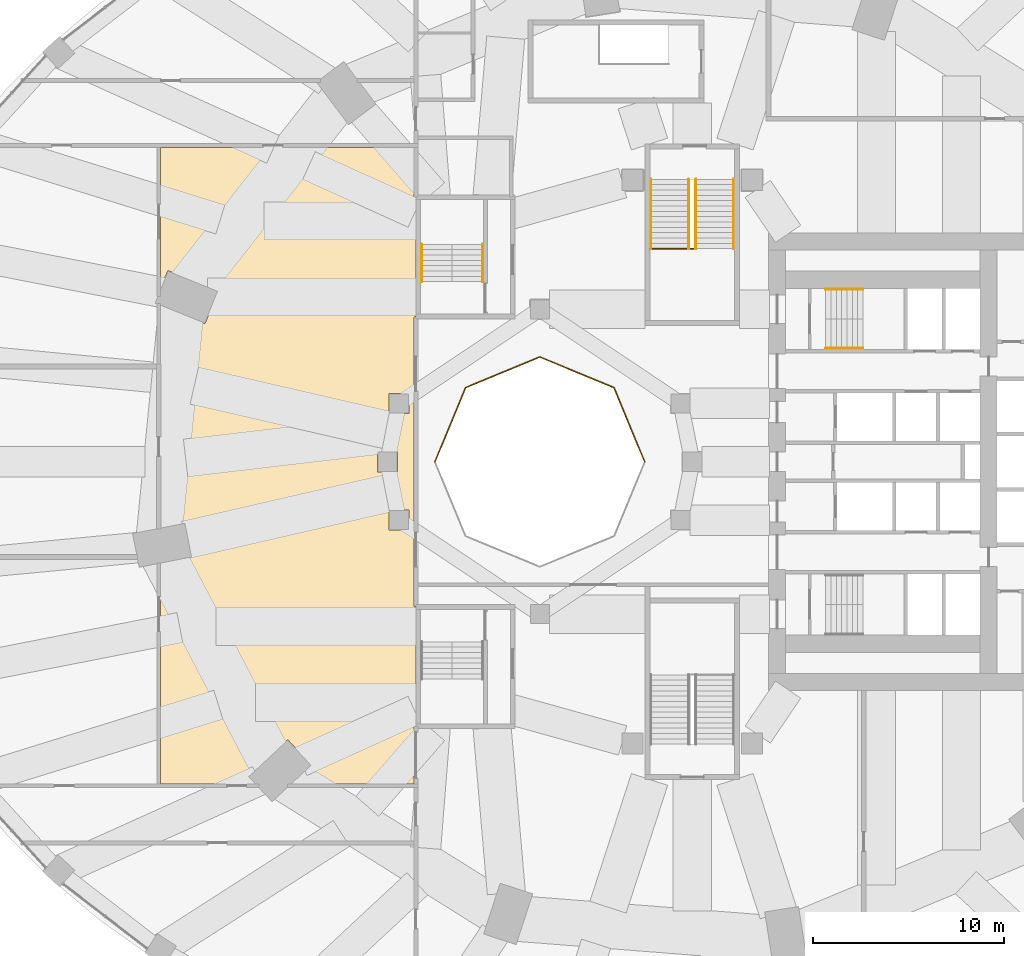
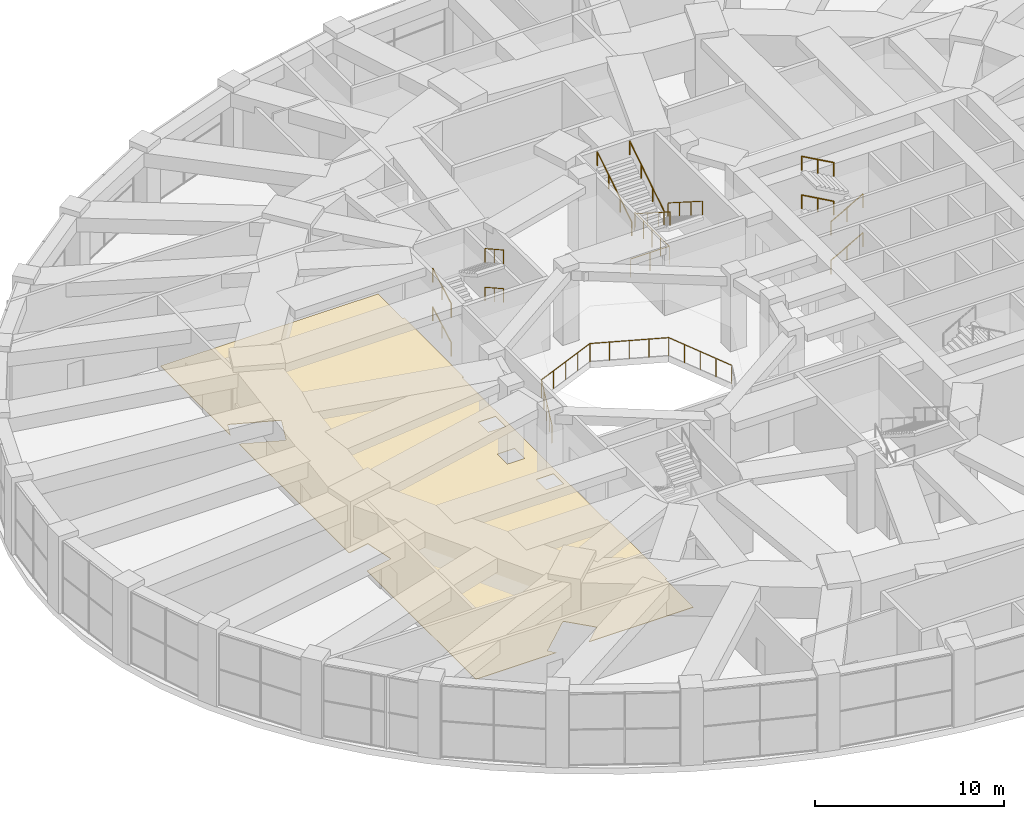
# One storey, part 28 of 30: 14 railings, 1 covering.
"""IFC4 building model written with IfcOpenShell, lengths in metres."""

from ifc_helpers import new_model, si_unit, direction, frame, origin, origin_2d, place, context, subcontext, project, spatial, polyline, circle, outline, extrude, material, layer, layer_set, type_object, element, save


model = new_model("IFC4")

# Units and contexts
model_context = context("Model", 3, precision=1e-05, world=origin(), true_north=direction((0.0, 1.0)))
body_context = subcontext(model_context, "Body", "Model", "MODEL_VIEW")
ifc_project = project(units=[si_unit("LENGTHUNIT", "METRE"), si_unit("AREAUNIT", "SQUARE_METRE"), si_unit("VOLUMEUNIT", "CUBIC_METRE"), si_unit("PLANEANGLEUNIT", "RADIAN"), si_unit("MASSUNIT", "GRAM", prefix="KILO")], contexts=[model_context])

# Site, building, storey
site_placement = place(None, origin())
site = spatial("IfcSite", under=ifc_project, at=site_placement, CompositionType="ELEMENT")
building_placement = place(site_placement, origin())
building = spatial("IfcBuilding", under=site, at=building_placement, Name="Taillehof Tower", CompositionType="ELEMENT")
storey_placement = place(building_placement, frame((0.0, 0.0, 12.5)))
storey = spatial("IfcBuildingStorey", under=building, at=storey_placement, Name="L02", CompositionType="ELEMENT", Elevation=12.5)

# Covering
ifc_material_1 = material(Name="Terrazzo floor finish")
ifc_layer = layer(ifc_material_1, 0.030029296875)
ifc_layer_set = layer_set([ifc_layer], Name="Floor finish 30 mm")
covering_type = type_object("IfcCoveringType", Name="Floor finish 30 mm", PredefinedType="FLOORING", material=ifc_layer_set)
covering_placement = place(storey_placement, origin())
element("IfcCovering", 1, at=covering_placement, inside=storey, type_object=covering_type, Name="Floor finish L02-21", PredefinedType="FLOORING", context=body_context, shape_type="SweptSolid", body=[
    extrude(outline(polyline([(-27.89990234375, -16.89990234375), (-27.89990234375, -5.347900390625), (-26.267578125, -5.02685546875), (-26.264892578125, -5.0263671875), (-26.261962890625, -5.025390625), (-26.25927734375, -5.02392578125), (-26.2568359375, -5.0224609375), (-26.25439453125, -5.020751953125), (-26.252197265625, -5.018798828125), (-26.250244140625, -5.0166015625), (-26.24853515625, -5.01416015625), (-26.2470703125, -5.01171875), (-26.245849609375, -5.009033203125), (-26.244873046875, -5.00634765625), (-26.244140625, -5.00341796875), (-26.24365234375, -5.00048828125), (-26.243408203125, -4.99755859375), (-26.24365234375, -4.99462890625), (-26.244140625, -4.99169921875), (-26.59130859375, -3.2255859375), (-26.592041015625, -3.22265625), (-26.593017578125, -3.219970703125), (-26.59423828125, -3.21728515625), (-26.595947265625, -3.21484375), (-26.59765625, -3.21240234375), (-26.599609375, -3.210205078125), (-26.601806640625, -3.208251953125), (-26.60400390625, -3.20654296875), (-26.606689453125, -3.204833984375), (-26.609375, -3.20361328125), (-26.612060546875, -3.20263671875), (-26.614990234375, -3.201904296875), (-26.617919921875, -3.201416015625), (-26.620849609375, -3.201416015625), (-26.623779296875, -3.201416015625), (-26.626708984375, -3.201904296875), (-27.875, -3.447509765625), (-27.875, 5.125), (-27.89990234375, 5.125), (-27.89990234375, 8.181884765625), (-25.598876953125, 7.247802734375), (-25.59619140625, 7.246826171875), (-25.59326171875, 7.24609375), (-25.59033203125, 7.24560546875), (-25.58740234375, 7.24560546875), (-25.58447265625, 7.24560546875), (-25.58154296875, 7.24609375), (-25.578857421875, 7.246826171875), (-25.575927734375, 7.247802734375), (-25.5732421875, 7.2490234375), (-25.57080078125, 7.250732421875), (-25.568359375, 7.25244140625), (-25.56640625, 7.25439453125), (-25.564453125, 7.256591796875), (-25.5625, 7.259033203125), (-25.56103515625, 7.261474609375), (-25.559814453125, 7.26416015625), (-24.8828125, 8.93212890625), (-24.8818359375, 8.934814453125), (-24.881103515625, 8.937744140625), (-24.880615234375, 8.940673828125), (-24.880615234375, 8.943603515625), (-24.880859375, 8.946533203125), (-24.881103515625, 8.949462890625), (-24.8818359375, 8.9521484375), (-24.883056640625, 8.955078125), (-24.88427734375, 8.95751953125), (-24.8857421875, 8.960205078125), (-24.887451171875, 8.96240234375), (-24.8896484375, 8.964599609375), (-24.891845703125, 8.966552734375), (-24.89404296875, 8.96826171875), (-24.896728515625, 8.969970703125), (-24.8994140625, 8.97119140625), (-27.49365234375, 10.0244140625), (-27.496337890625, 10.025390625), (-27.499267578125, 10.02587890625), (-27.502197265625, 10.0263671875), (-27.505126953125, 10.026611328125), (-27.508056640625, 10.0263671875), (-27.510986328125, 10.02587890625), (-27.513916015625, 10.025146484375), (-27.5166015625, 10.024169921875), (-27.519287109375, 10.02294921875), (-27.521728515625, 10.021240234375), (-27.524169921875, 10.01953125), (-27.5263671875, 10.017578125), (-27.5283203125, 10.015380859375), (-27.530029296875, 10.012939453125), (-27.531494140625, 10.010498046875), (-27.53271484375, 10.0078125), (-27.89990234375, 9.103271484375), (-27.89990234375, 16.5), (-14.60009765625, 16.5), (-14.60009765625, 13.89990234375), (-14.5, 13.89990234375), (-14.5, 7.60009765625), (-14.60009765625, 7.60009765625), (-14.60009765625, -6.35009765625), (-14.60009765625, -7.60009765625), (-14.5, -7.60009765625), (-14.5, -13.89990234375), (-14.60009765625, -13.89990234375), (-14.60009765625, -16.89990234375), (-20.9951171875, -16.89990234375), (-19.983154296875, -15.95263671875), (-19.98095703125, -15.95068359375), (-19.979248046875, -15.9482421875), (-19.9775390625, -15.94580078125), (-19.976318359375, -15.943115234375), (-19.97509765625, -15.9404296875), (-19.974365234375, -15.937744140625), (-19.973876953125, -15.934814453125), (-19.9736328125, -15.931884765625), (-19.9736328125, -15.928955078125), (-19.97412109375, -15.926025390625), (-19.974609375, -15.923095703125), (-19.9755859375, -15.920166015625), (-19.976806640625, -15.91748046875), (-19.97802734375, -15.9150390625), (-19.979736328125, -15.91259765625), (-19.981689453125, -15.910400390625), (-21.211669921875, -14.59619140625), (-21.2138671875, -14.593994140625), (-21.216064453125, -14.59228515625), (-21.218505859375, -14.590576171875), (-21.22119140625, -14.58935546875), (-21.223876953125, -14.588134765625), (-21.226806640625, -14.58740234375), (-21.229736328125, -14.5869140625), (-21.232666015625, -14.586669921875), (-21.235595703125, -14.586669921875), (-21.238525390625, -14.5869140625), (-21.241455078125, -14.587646484375), (-21.244140625, -14.588623046875), (-21.246826171875, -14.589599609375), (-21.24951171875, -14.591064453125), (-21.251953125, -14.5927734375), (-21.254150390625, -14.5947265625), (-23.29833984375, -16.508056640625), (-23.300537109375, -16.51025390625), (-23.30224609375, -16.512451171875), (-23.303955078125, -16.514892578125), (-23.30517578125, -16.517578125), (-23.306396484375, -16.520263671875), (-23.30712890625, -16.523193359375), (-23.3076171875, -16.526123046875), (-23.307861328125, -16.529052734375), (-23.307861328125, -16.531982421875), (-23.3076171875, -16.534912109375), (-23.306884765625, -16.53759765625), (-23.305908203125, -16.54052734375), (-23.304931640625, -16.543212890625), (-23.303466796875, -16.545654296875), (-23.3017578125, -16.548095703125), (-23.2998046875, -16.550537109375), (-22.97265625, -16.89990234375), (-27.89990234375, -16.89990234375)]), holes=[polyline([(-15.902587890625, -3.589111328125), (-15.899658203125, -3.590087890625), (-15.89697265625, -3.5908203125), (-15.89404296875, -3.59130859375), (-15.89111328125, -3.591552734375), (-14.89111328125, -3.591552734375), (-14.88818359375, -3.59130859375), (-14.88525390625, -3.5908203125), (-14.88232421875, -3.590087890625), (-14.879638671875, -3.589111328125), (-14.876953125, -3.587890625), (-14.874267578125, -3.58642578125), (-14.8720703125, -3.584716796875), (-14.869873046875, -3.582763671875), (-14.867919921875, -3.58056640625), (-14.8662109375, -3.578125), (-14.864501953125, -3.57568359375), (-14.86328125, -3.572998046875), (-14.8623046875, -3.570068359375), (-14.861572265625, -3.5673828125), (-14.861083984375, -3.564453125), (-14.861083984375, -3.5615234375), (-14.861083984375, -2.5615234375), (-14.861083984375, -2.55859375), (-14.861572265625, -2.5556640625), (-14.8623046875, -2.552734375), (-14.86328125, -2.550048828125), (-14.864501953125, -2.54736328125), (-14.8662109375, -2.544921875), (-14.867919921875, -2.54248046875), (-14.869873046875, -2.540283203125), (-14.8720703125, -2.538330078125), (-14.874267578125, -2.53662109375), (-14.876953125, -2.534912109375), (-14.879638671875, -2.53369140625), (-14.88232421875, -2.53271484375), (-14.88525390625, -2.531982421875), (-14.88818359375, -2.531494140625), (-14.89111328125, -2.531494140625), (-15.89111328125, -2.531494140625), (-15.89404296875, -2.531494140625), (-15.89697265625, -2.531982421875), (-15.899658203125, -2.53271484375), (-15.902587890625, -2.53369140625), (-15.9052734375, -2.534912109375), (-15.90771484375, -2.53662109375), (-15.91015625, -2.538330078125), (-15.912353515625, -2.540283203125), (-15.914306640625, -2.54248046875), (-15.916015625, -2.544921875), (-15.91748046875, -2.54736328125), (-15.918701171875, -2.550048828125), (-15.919677734375, -2.552734375), (-15.92041015625, -2.5556640625), (-15.9208984375, -2.55859375), (-15.921142578125, -2.5615234375), (-15.921142578125, -3.5615234375), (-15.9208984375, -3.564453125), (-15.92041015625, -3.5673828125), (-15.919677734375, -3.570068359375), (-15.918701171875, -3.572998046875), (-15.91748046875, -3.57568359375), (-15.916015625, -3.578125), (-15.914306640625, -3.58056640625), (-15.912353515625, -3.582763671875), (-15.91015625, -3.584716796875), (-15.90771484375, -3.58642578125), (-15.9052734375, -3.587890625), (-15.902587890625, -3.589111328125)]), polyline([(-16.511474609375, -0.52783203125), (-16.5087890625, -0.52880859375), (-16.505859375, -0.529541015625), (-16.5029296875, -0.52978515625), (-16.5, -0.530029296875), (-15.5, -0.530029296875), (-15.4970703125, -0.52978515625), (-15.494140625, -0.529541015625), (-15.4912109375, -0.52880859375), (-15.488525390625, -0.52783203125), (-15.48583984375, -0.5263671875), (-15.4833984375, -0.52490234375), (-15.48095703125, -0.523193359375), (-15.478759765625, -0.521240234375), (-15.476806640625, -0.51904296875), (-15.47509765625, -0.5166015625), (-15.4736328125, -0.51416015625), (-15.47216796875, -0.511474609375), (-15.47119140625, -0.5087890625), (-15.470458984375, -0.505859375), (-15.47021484375, -0.5029296875), (-15.469970703125, -0.5), (-15.469970703125, 0.5), (-15.47021484375, 0.5029296875), (-15.470458984375, 0.505859375), (-15.47119140625, 0.5087890625), (-15.47216796875, 0.511474609375), (-15.4736328125, 0.51416015625), (-15.47509765625, 0.5166015625), (-15.476806640625, 0.51904296875), (-15.478759765625, 0.521240234375), (-15.48095703125, 0.523193359375), (-15.4833984375, 0.52490234375), (-15.48583984375, 0.5263671875), (-15.488525390625, 0.52783203125), (-15.4912109375, 0.52880859375), (-15.494140625, 0.529541015625), (-15.4970703125, 0.52978515625), (-15.5, 0.530029296875), (-16.5, 0.530029296875), (-16.5029296875, 0.52978515625), (-16.505859375, 0.529541015625), (-16.5087890625, 0.52880859375), (-16.511474609375, 0.52783203125), (-16.51416015625, 0.5263671875), (-16.5166015625, 0.52490234375), (-16.51904296875, 0.523193359375), (-16.521240234375, 0.521240234375), (-16.523193359375, 0.51904296875), (-16.52490234375, 0.5166015625), (-16.5263671875, 0.51416015625), (-16.52783203125, 0.511474609375), (-16.52880859375, 0.5087890625), (-16.529541015625, 0.505859375), (-16.52978515625, 0.5029296875), (-16.530029296875, 0.5), (-16.530029296875, -0.5), (-16.52978515625, -0.5029296875), (-16.529541015625, -0.505859375), (-16.52880859375, -0.5087890625), (-16.52783203125, -0.511474609375), (-16.5263671875, -0.51416015625), (-16.52490234375, -0.5166015625), (-16.523193359375, -0.51904296875), (-16.521240234375, -0.521240234375), (-16.51904296875, -0.523193359375), (-16.5166015625, -0.52490234375), (-16.51416015625, -0.5263671875), (-16.511474609375, -0.52783203125)]), polyline([(-15.902587890625, 2.53369140625), (-15.899658203125, 2.53271484375), (-15.89697265625, 2.531982421875), (-15.89404296875, 2.531494140625), (-15.89111328125, 2.531494140625), (-14.89111328125, 2.531494140625), (-14.88818359375, 2.531494140625), (-14.88525390625, 2.531982421875), (-14.88232421875, 2.53271484375), (-14.879638671875, 2.53369140625), (-14.876953125, 2.534912109375), (-14.874267578125, 2.53662109375), (-14.8720703125, 2.538330078125), (-14.869873046875, 2.540283203125), (-14.867919921875, 2.54248046875), (-14.8662109375, 2.544921875), (-14.864501953125, 2.54736328125), (-14.86328125, 2.550048828125), (-14.8623046875, 2.552734375), (-14.861572265625, 2.5556640625), (-14.861083984375, 2.55859375), (-14.861083984375, 2.5615234375), (-14.861083984375, 3.5615234375), (-14.861083984375, 3.564453125), (-14.861572265625, 3.5673828125), (-14.8623046875, 3.570068359375), (-14.86328125, 3.572998046875), (-14.864501953125, 3.57568359375), (-14.8662109375, 3.578125), (-14.867919921875, 3.58056640625), (-14.869873046875, 3.582763671875), (-14.8720703125, 3.584716796875), (-14.874267578125, 3.58642578125), (-14.876953125, 3.587890625), (-14.879638671875, 3.589111328125), (-14.88232421875, 3.590087890625), (-14.88525390625, 3.5908203125), (-14.88818359375, 3.59130859375), (-14.89111328125, 3.591552734375), (-15.89111328125, 3.591552734375), (-15.89404296875, 3.59130859375), (-15.89697265625, 3.5908203125), (-15.899658203125, 3.590087890625), (-15.902587890625, 3.589111328125), (-15.9052734375, 3.587890625), (-15.90771484375, 3.58642578125), (-15.91015625, 3.584716796875), (-15.912353515625, 3.582763671875), (-15.914306640625, 3.58056640625), (-15.916015625, 3.578125), (-15.91748046875, 3.57568359375), (-15.918701171875, 3.572998046875), (-15.919677734375, 3.570068359375), (-15.92041015625, 3.5673828125), (-15.9208984375, 3.564453125), (-15.921142578125, 3.5615234375), (-15.921142578125, 2.5615234375), (-15.9208984375, 2.55859375), (-15.92041015625, 2.5556640625), (-15.919677734375, 2.552734375), (-15.918701171875, 2.550048828125), (-15.91748046875, 2.54736328125), (-15.916015625, 2.544921875), (-15.914306640625, 2.54248046875), (-15.912353515625, 2.540283203125), (-15.91015625, 2.538330078125), (-15.90771484375, 2.53662109375), (-15.9052734375, 2.534912109375), (-15.902587890625, 2.53369140625)])]), origin(), (0.0, 0.0, 1.0), 0.030029296875),
])

# Railings
ifc_material_2 = material(Name="Stainless steel and laminated glass", Category="steel")
railing_type_1 = type_object("IfcRailingType", Name="Guard 1200 mm", PredefinedType="GUARDRAIL", material=ifc_material_2)
railing_1_placement = place(storey_placement, frame((-2.5, 0.0, 0.0)))
element("IfcRailing", 2, at=railing_1_placement, inside=storey, type_object=railing_type_1, Name="Guard atrium", PredefinedType="GUARDRAIL", context=body_context, shape_type="SweptSolid", body=[
    extrude(circle(Radius=0.02392578125, at=origin_2d()), frame((0.0, 0.0, 1.17578125), z_axis=(-0.38266253946, 0.923888186359, 0.0), x_axis=(-0.923888186359, -0.38266253946, 0.0)), (0.0, 0.0, 1.0), 4.20947265625),
    extrude(circle(Radius=0.02392578125, at=origin_2d()), frame((-1.61083984375, 3.88916015625, 1.17578125), z_axis=(-0.923888186359, 0.38266253946, 0.0), x_axis=(-0.38266253946, -0.923888186359, 0.0)), (0.0, 0.0, 1.0), 4.20947265625),
    extrude(circle(Radius=0.02392578125, at=origin_2d()), frame((-5.5, 5.5, 1.17578125), z_axis=(-0.923888186359, -0.38266253946, 0.0), x_axis=(0.38266253946, -0.923888186359, 0.0)), (0.0, 0.0, 1.0), 4.20947265625),
    extrude(circle(Radius=0.02392578125, at=origin_2d()), frame((-9.38916015625, 3.88916015625, 1.17578125), z_axis=(-0.38266253946, -0.923888186359, 0.0), x_axis=(0.923888186359, -0.38266253946, 0.0)), (0.0, 0.0, 1.0), 4.20947265625),
    extrude(circle(Radius=0.02099609375, at=origin_2d()), origin(), (0.0, 0.0, 1.0), 1.15185546875),
    extrude(circle(Radius=0.02099609375, at=origin_2d()), frame((-0.40283203125, 0.97216796875, 0.0)), (0.0, 0.0, 1.0), 1.15185546875),
    extrude(circle(Radius=0.02099609375, at=origin_2d()), frame((-0.805419921875, 1.944580078125, 0.0)), (0.0, 0.0, 1.0), 1.15185546875),
    extrude(circle(Radius=0.02099609375, at=origin_2d()), frame((-1.2080078125, 2.9169921875, 0.0)), (0.0, 0.0, 1.0), 1.15185546875),
    extrude(circle(Radius=0.02099609375, at=origin_2d()), frame((-1.61083984375, 3.88916015625, 0.0)), (0.0, 0.0, 1.0), 1.15185546875),
    extrude(circle(Radius=0.02099609375, at=origin_2d()), frame((-2.5830078125, 4.2919921875, 0.0)), (0.0, 0.0, 1.0), 1.15185546875),
    extrude(circle(Radius=0.02099609375, at=origin_2d()), frame((-3.555419921875, 4.694580078125, 0.0)), (0.0, 0.0, 1.0), 1.15185546875),
    extrude(circle(Radius=0.02099609375, at=origin_2d()), frame((-4.52783203125, 5.09716796875, 0.0)), (0.0, 0.0, 1.0), 1.15185546875),
    extrude(circle(Radius=0.02099609375, at=origin_2d()), frame((-5.5, 5.5, 0.0)), (0.0, 0.0, 1.0), 1.15185546875),
    extrude(circle(Radius=0.02099609375, at=origin_2d()), frame((-6.47216796875, 5.09716796875, 0.0)), (0.0, 0.0, 1.0), 1.15185546875),
    extrude(circle(Radius=0.02099609375, at=origin_2d()), frame((-7.444580078125, 4.694580078125, 0.0)), (0.0, 0.0, 1.0), 1.15185546875),
    extrude(circle(Radius=0.02099609375, at=origin_2d()), frame((-8.4169921875, 4.2919921875, 0.0)), (0.0, 0.0, 1.0), 1.15185546875),
    extrude(circle(Radius=0.02099609375, at=origin_2d()), frame((-9.38916015625, 3.88916015625, 0.0)), (0.0, 0.0, 1.0), 1.15185546875),
    extrude(circle(Radius=0.02099609375, at=origin_2d()), frame((-9.7919921875, 2.9169921875, 0.0)), (0.0, 0.0, 1.0), 1.15185546875),
    extrude(circle(Radius=0.02099609375, at=origin_2d()), frame((-10.194580078125, 1.944580078125, 0.0)), (0.0, 0.0, 1.0), 1.15185546875),
    extrude(circle(Radius=0.02099609375, at=origin_2d()), frame((-10.59716796875, 0.97216796875, 0.0)), (0.0, 0.0, 1.0), 1.15185546875),
    extrude(circle(Radius=0.02099609375, at=origin_2d()), frame((-11.0, 0.0, 0.0)), (0.0, 0.0, 1.0), 1.15185546875),
])
railing_2_placement = place(storey_placement, frame((0.125, 14.820068359375, 0.0)))
element("IfcRailing", 3, at=railing_2_placement, inside=storey, type_object=railing_type_1, Name="Guard P1", PredefinedType="GUARDRAIL", context=body_context, shape_type="SweptSolid", body=[
    extrude(circle(Radius=0.02392578125, at=origin_2d()), frame((0.0, 0.0, 1.17578125), z_axis=(0.0, -1.0, 0.0), x_axis=(1.0, 0.0, 0.0)), (0.0, 0.0, 1.0), 3.64013671875),
    extrude(circle(Radius=0.02392578125, at=origin_2d()), frame((0.0, -3.64013671875, 1.17578125), z_axis=(-1.0, 0.0, 0.0), x_axis=(0.0, -1.0, 0.0)), (0.0, 0.0, 1.0), 2.35009765625),
    extrude(circle(Radius=0.02099609375, at=origin_2d()), origin(), (0.0, 0.0, 1.0), 1.15185546875),
    extrude(circle(Radius=0.02099609375, at=origin_2d()), frame((0.0, -0.91015625, 0.0)), (0.0, 0.0, 1.0), 1.15185546875),
    extrude(circle(Radius=0.02099609375, at=origin_2d()), frame((0.0, -1.820068359375, 0.0)), (0.0, 0.0, 1.0), 1.15185546875),
    extrude(circle(Radius=0.02099609375, at=origin_2d()), frame((0.0, -2.72998046875, 0.0)), (0.0, 0.0, 1.0), 1.15185546875),
    extrude(circle(Radius=0.02099609375, at=origin_2d()), frame((0.0, -3.64013671875, 0.0)), (0.0, 0.0, 1.0), 1.15185546875),
    extrude(circle(Radius=0.02099609375, at=origin_2d()), frame((-1.175048828125, -3.64013671875, 0.0)), (0.0, 0.0, 1.0), 1.15185546875),
    extrude(circle(Radius=0.02099609375, at=origin_2d()), frame((-2.35009765625, -3.64013671875, 0.0)), (0.0, 0.0, 1.0), 1.15185546875),
])
ifc_material_3 = material(Name="Stainless steel tube", Category="steel")
railing_type_2 = type_object("IfcRailingType", Name="Handrail 900 mm", PredefinedType="HANDRAIL", material=ifc_material_3)
for number, where, name in (
    (4, (2.1650390625, 14.820068359375, 0.1787109375), "Handrail P1"),
    (5, (0.18505859375, 14.820068359375, 0.1787109375), "Handrail P1"),
):
    element("IfcRailing", number, at=place(storey_placement, frame(where)), inside=storey, type_object=railing_type_2, Name=name, PredefinedType="HANDRAIL", context=body_context, shape_type="SweptSolid", body=[
        extrude(circle(Radius=0.02392578125, at=origin_2d()), frame((0.0, 0.0, 0.8759765625), z_axis=(0.0, -0.843153495434, 0.537672933239), x_axis=(1.0, 0.0, 0.0)), (0.0, 0.0, 1.0), 4.3173828125),
        extrude(circle(Radius=0.02099609375, at=origin_2d()), origin(), (0.0, 0.0, 1.0), 0.851806640625),
        extrude(circle(Radius=0.02099609375, at=origin_2d()), frame((0.0, -1.21337890625, 0.773681640625)), (0.0, 0.0, 1.0), 0.851806640625),
        extrude(circle(Radius=0.02099609375, at=origin_2d()), frame((0.0, -2.4267578125, 1.547607421875)), (0.0, 0.0, 1.0), 0.851806640625),
        extrude(circle(Radius=0.02099609375, at=origin_2d()), frame((0.0, -3.64013671875, 2.3212890625)), (0.0, 0.0, 1.0), 0.851806640625),
    ])
for number, where, name in (
    (6, (-0.18505859375, 11.179931640625, 2.6787109375), "Handrail P1"),
    (7, (-2.1650390625, 11.179931640625, 2.6787109375), "Handrail P1"),
):
    element("IfcRailing", number, at=place(storey_placement, frame(where)), inside=storey, type_object=railing_type_2, Name=name, PredefinedType="HANDRAIL", context=body_context, shape_type="SweptSolid", body=[
        extrude(circle(Radius=0.02392578125, at=origin_2d()), frame((0.0, 0.0, 0.8759765625), z_axis=(0.0, 0.843153495434, 0.537672933239), x_axis=(-1.0, 0.0, 0.0)), (0.0, 0.0, 1.0), 4.3173828125),
        extrude(circle(Radius=0.02099609375, at=origin_2d()), origin(), (0.0, 0.0, 1.0), 0.851806640625),
        extrude(circle(Radius=0.02099609375, at=origin_2d()), frame((0.0, 1.21337890625, 0.773681640625)), (0.0, 0.0, 1.0), 0.851806640625),
        extrude(circle(Radius=0.02099609375, at=origin_2d()), frame((0.0, 2.4267578125, 1.547607421875)), (0.0, 0.0, 1.0), 0.851806640625),
        extrude(circle(Radius=0.02099609375, at=origin_2d()), frame((0.0, 3.64013671875, 2.3212890625)), (0.0, 0.0, 1.0), 0.851806640625),
    ])
ifc_material_4 = material(Name="Stainless steel", Category="steel")
railing_type_3 = type_object("IfcRailingType", Name="Stair handrail 900", PredefinedType="HANDRAIL", material=ifc_material_4)
railing_3_placement = place(storey_placement, frame((7.0, 5.949951171875, 0.15625)))
element("IfcRailing", 8, at=railing_3_placement, inside=storey, type_object=railing_type_3, Name="Stair S1 handrail", PredefinedType="HANDRAIL", context=body_context, shape_type="SweptSolid", body=[
    extrude(circle(Radius=0.02392578125, at=origin_2d()), frame((0.0, 0.0, 0.8759765625), z_axis=(0.873232148454, 0.0, 0.487304437602), x_axis=(0.0, 1.0, 0.0)), (0.0, 0.0, 1.0), 2.244384765625),
    extrude(circle(Radius=0.02099609375, at=origin_2d()), origin(), (0.0, 0.0, 1.0), 0.851806640625),
    extrude(circle(Radius=0.02099609375, at=origin_2d()), frame((0.97998046875, 0.0, 0.546875)), (0.0, 0.0, 1.0), 0.851806640625),
    extrude(circle(Radius=0.02099609375, at=origin_2d()), frame((1.9599609375, 0.0, 1.09375)), (0.0, 0.0, 1.0), 0.851806640625),
])
railing_4_placement = place(storey_placement, frame((8.9599609375, 9.050048828125, 1.40625)))
element("IfcRailing", 9, at=railing_4_placement, inside=storey, type_object=railing_type_3, Name="Stair S1 handrail", PredefinedType="HANDRAIL", context=body_context, shape_type="SweptSolid", body=[
    extrude(circle(Radius=0.02392578125, at=origin_2d()), frame((0.0, 0.0, 0.8759765625), z_axis=(-0.873232148454, 0.0, 0.487304437602), x_axis=(0.0, -1.0, 0.0)), (0.0, 0.0, 1.0), 2.244384765625),
    extrude(circle(Radius=0.02099609375, at=origin_2d()), origin(), (0.0, 0.0, 1.0), 0.851806640625),
    extrude(circle(Radius=0.02099609375, at=origin_2d()), frame((-0.97998046875, 0.0, 0.546875)), (0.0, 0.0, 1.0), 0.851806640625),
    extrude(circle(Radius=0.02099609375, at=origin_2d()), frame((-1.9599609375, 0.0, 1.09375)), (0.0, 0.0, 1.0), 0.851806640625),
])
railing_5_placement = place(storey_placement, frame((7.0, 5.949951171875, 2.65625)))
element("IfcRailing", 10, at=railing_5_placement, inside=storey, type_object=railing_type_3, Name="Stair S1 handrail", PredefinedType="HANDRAIL", context=body_context, shape_type="SweptSolid", body=[
    extrude(circle(Radius=0.02392578125, at=origin_2d()), frame((0.0, 0.0, 0.8759765625), z_axis=(0.873232148454, 0.0, 0.487304437602), x_axis=(0.0, 1.0, 0.0)), (0.0, 0.0, 1.0), 2.244384765625),
    extrude(circle(Radius=0.02099609375, at=origin_2d()), origin(), (0.0, 0.0, 1.0), 0.851806640625),
    extrude(circle(Radius=0.02099609375, at=origin_2d()), frame((0.97998046875, 0.0, 0.546875)), (0.0, 0.0, 1.0), 0.851806640625),
    extrude(circle(Radius=0.02099609375, at=origin_2d()), frame((1.9599609375, 0.0, 1.09375)), (0.0, 0.0, 1.0), 0.851806640625),
])
railing_6_placement = place(storey_placement, frame((8.9599609375, 9.050048828125, 3.90625)))
element("IfcRailing", 11, at=railing_6_placement, inside=storey, type_object=railing_type_3, Name="Stair S1 handrail", PredefinedType="HANDRAIL", context=body_context, shape_type="SweptSolid", body=[
    extrude(circle(Radius=0.02392578125, at=origin_2d()), frame((0.0, 0.0, 0.8759765625), z_axis=(-0.873232148454, 0.0, 0.487304437602), x_axis=(0.0, -1.0, 0.0)), (0.0, 0.0, 1.0), 2.244384765625),
    extrude(circle(Radius=0.02099609375, at=origin_2d()), origin(), (0.0, 0.0, 1.0), 0.851806640625),
    extrude(circle(Radius=0.02099609375, at=origin_2d()), frame((-0.97998046875, 0.0, 0.546875)), (0.0, 0.0, 1.0), 0.851806640625),
    extrude(circle(Radius=0.02099609375, at=origin_2d()), frame((-1.9599609375, 0.0, 1.09375)), (0.0, 0.0, 1.0), 0.851806640625),
])
railing_7_placement = place(storey_placement, frame((-14.199951171875, 9.449951171875, 0.15625)))
element("IfcRailing", 12, at=railing_7_placement, inside=storey, type_object=railing_type_3, Name="Stair S3 handrail", PredefinedType="HANDRAIL", context=body_context, shape_type="SweptSolid", body=[
    extrude(circle(Radius=0.02392578125, at=origin_2d()), frame((0.0, 0.0, 0.8759765625), z_axis=(0.0, 0.873232148454, 0.487304437602), x_axis=(-1.0, 0.0, 0.0)), (0.0, 0.0, 1.0), 2.244384765625),
    extrude(circle(Radius=0.02099609375, at=origin_2d()), origin(), (0.0, 0.0, 1.0), 0.851806640625),
    extrude(circle(Radius=0.02099609375, at=origin_2d()), frame((0.0, 0.97998046875, 0.546875)), (0.0, 0.0, 1.0), 0.851806640625),
    extrude(circle(Radius=0.02099609375, at=origin_2d()), frame((0.0, 1.9599609375, 1.09375)), (0.0, 0.0, 1.0), 0.851806640625),
])
railing_8_placement = place(storey_placement, frame((-11.0, 11.409912109375, 1.40625)))
element("IfcRailing", 13, at=railing_8_placement, inside=storey, type_object=railing_type_3, Name="Stair S3 handrail", PredefinedType="HANDRAIL", context=body_context, shape_type="SweptSolid", body=[
    extrude(circle(Radius=0.02392578125, at=origin_2d()), frame((0.0, 0.0, 0.8759765625), z_axis=(0.0, -0.873232148454, 0.487304437602), x_axis=(1.0, 0.0, 0.0)), (0.0, 0.0, 1.0), 2.244384765625),
    extrude(circle(Radius=0.02099609375, at=origin_2d()), origin(), (0.0, 0.0, 1.0), 0.851806640625),
    extrude(circle(Radius=0.02099609375, at=origin_2d()), frame((0.0, -0.97998046875, 0.546875)), (0.0, 0.0, 1.0), 0.851806640625),
    extrude(circle(Radius=0.02099609375, at=origin_2d()), frame((0.0, -1.9599609375, 1.09375)), (0.0, 0.0, 1.0), 0.851806640625),
])
railing_9_placement = place(storey_placement, frame((-14.199951171875, 9.449951171875, 2.65625)))
element("IfcRailing", 14, at=railing_9_placement, inside=storey, type_object=railing_type_3, Name="Stair S3 handrail", PredefinedType="HANDRAIL", context=body_context, shape_type="SweptSolid", body=[
    extrude(circle(Radius=0.02392578125, at=origin_2d()), frame((0.0, 0.0, 0.8759765625), z_axis=(0.0, 0.873232148454, 0.487304437602), x_axis=(-1.0, 0.0, 0.0)), (0.0, 0.0, 1.0), 2.244384765625),
    extrude(circle(Radius=0.02099609375, at=origin_2d()), origin(), (0.0, 0.0, 1.0), 0.851806640625),
    extrude(circle(Radius=0.02099609375, at=origin_2d()), frame((0.0, 0.97998046875, 0.546875)), (0.0, 0.0, 1.0), 0.851806640625),
    extrude(circle(Radius=0.02099609375, at=origin_2d()), frame((0.0, 1.9599609375, 1.09375)), (0.0, 0.0, 1.0), 0.851806640625),
])
railing_10_placement = place(storey_placement, frame((-11.0, 11.409912109375, 3.90625)))
element("IfcRailing", 15, at=railing_10_placement, inside=storey, type_object=railing_type_3, Name="Stair S3 handrail", PredefinedType="HANDRAIL", context=body_context, shape_type="SweptSolid", body=[
    extrude(circle(Radius=0.02392578125, at=origin_2d()), frame((0.0, 0.0, 0.8759765625), z_axis=(0.0, -0.873232148454, 0.487304437602), x_axis=(1.0, 0.0, 0.0)), (0.0, 0.0, 1.0), 2.244384765625),
    extrude(circle(Radius=0.02099609375, at=origin_2d()), origin(), (0.0, 0.0, 1.0), 0.851806640625),
    extrude(circle(Radius=0.02099609375, at=origin_2d()), frame((0.0, -0.97998046875, 0.546875)), (0.0, 0.0, 1.0), 0.851806640625),
    extrude(circle(Radius=0.02099609375, at=origin_2d()), frame((0.0, -1.9599609375, 1.09375)), (0.0, 0.0, 1.0), 0.851806640625),
])

save(model, "model.ifc")
